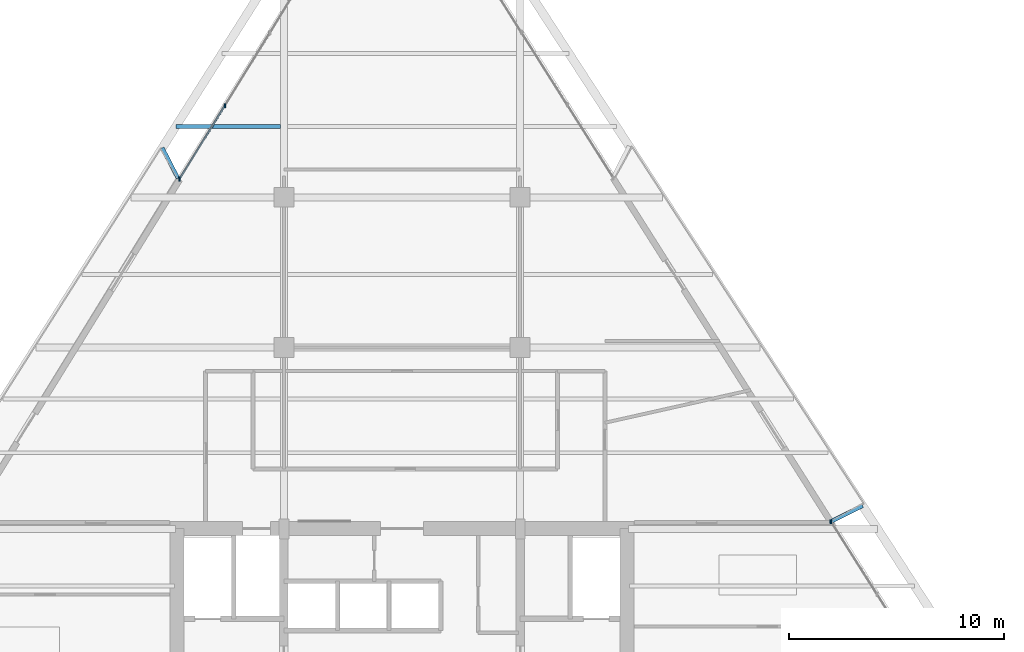
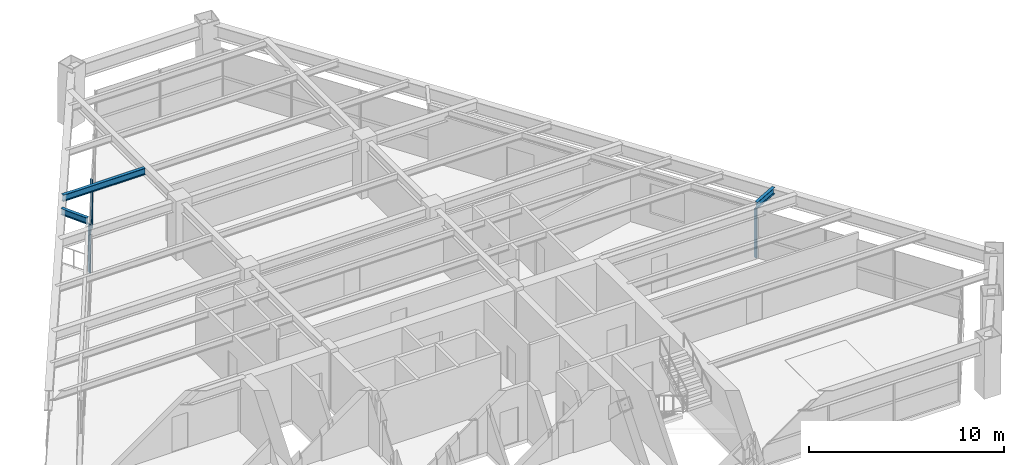
# One storey, part 8 of 15: 6 members, 3 beams, 2 elements without a shape of their own.
"""IFC4 building model written with IfcOpenShell, lengths in metres."""

from ifc_helpers import new_model, si_unit, direction, frame, origin, origin_2d, place, context, subcontext, project, spatial, rectangle, i_section, extrude, source, transform, mapped, material, material_profile, profile_set, type_object, element, aggregate, save


model = new_model("IFC4")

# Units and contexts
model_context = context("Model", 3, precision=1e-05, world=origin(), true_north=direction((0.0, 1.0)))
body_context = subcontext(model_context, "Body", "Model", "MODEL_VIEW")
ifc_project = project(units=[si_unit("LENGTHUNIT", "METRE"), si_unit("AREAUNIT", "SQUARE_METRE"), si_unit("VOLUMEUNIT", "CUBIC_METRE"), si_unit("PLANEANGLEUNIT", "RADIAN"), si_unit("MASSUNIT", "GRAM", prefix="KILO")], contexts=[model_context])

# Site, building, storey
site_placement = place(None, origin())
site = spatial("IfcSite", under=ifc_project, at=site_placement, CompositionType="ELEMENT")
building_placement = place(site_placement, origin())
building = spatial("IfcBuilding", under=site, at=building_placement, Name="Varnakhor Terracotta Tower", CompositionType="ELEMENT")
storey_placement = place(building_placement, frame((0.0, 0.0, 189.5)))
storey = spatial("IfcBuildingStorey", under=building, at=storey_placement, Name="L48", CompositionType="ELEMENT", Elevation=189.5)

# Beams
ifc_material_1 = material(Name="Steel S355", Category="steel")
ifc_material_profile_1 = material_profile(ifc_material_1, i_section(OverallWidth=0.179931640625, OverallDepth=0.4130859375, WebThickness=0.009765625, FlangeThickness=0.01611328125, FilletRadius=0.01806640625, at=origin_2d()), Name="W16X50")
ifc_profile_set_1 = profile_set([ifc_material_profile_1], Name="Steel S355")
beam_type_1 = type_object("IfcBeamType", Name="JST-W16X50", PredefinedType="JOIST", material=ifc_profile_set_1)
shared_shape_1 = source(origin(), body_context, "Body", "SweptSolid", [
    extrude(i_section(OverallWidth=0.179931640625, OverallDepth=0.4130859375, WebThickness=0.009765625, FlangeThickness=0.01611328125, FilletRadius=0.01806640625, at=origin_2d()), origin(), (0.0, 0.0, 1.0), 4.8798828125),
])
beam_1_placement = place(storey_placement, frame((-10.538330078125, 34.800048828125, 3.263427734375), z_axis=(1.0, 0.0, 0.0), x_axis=(0.0, 1.0, 0.0)))
element("IfcBeam", 1, at=beam_1_placement, inside=storey, type_object=beam_type_1, Name="L48 Composite Floor Joist 7-1", PredefinedType="JOIST", context=body_context, shape_type="MappedRepresentation", body=[
    mapped(shared_shape_1, transform((0.0, 0.0, 0.0), scale=1.0)),
])
ifc_material_profile_2 = material_profile(ifc_material_1, i_section(OverallWidth=0.179931640625, OverallDepth=0.39990234375, WebThickness=0.008544921875, FlangeThickness=0.013427734375, FilletRadius=0.01806640625, at=origin_2d()), Name="IPE400")
ifc_profile_set_2 = profile_set([ifc_material_profile_2], Name="Steel S355")
beam_type_2 = type_object("IfcBeamType", Name="JST-IPE400", PredefinedType="JOIST", material=ifc_profile_set_2)
shared_shape_2 = source(origin(), body_context, "Body", "SweptSolid", [
    extrude(i_section(OverallWidth=0.179931640625, OverallDepth=0.39990234375, WebThickness=0.008544921875, FlangeThickness=0.013427734375, FilletRadius=0.01806640625, at=origin_2d()), origin(), (0.0, 0.0, 1.0), 1.609130859375),
])
beam_2_placement = place(storey_placement, frame((-10.4306640625, 32.37646484375, 3.27001953125), z_axis=(-0.457622263467, 0.889146705544, 0.0), x_axis=(-0.889146705544, -0.457622263467, 0.0)))
element("IfcBeam", 2, at=beam_2_placement, inside=storey, type_object=beam_type_2, Name="L49 W Loggia Tie Beam 2", PredefinedType="JOIST", context=body_context, shape_type="MappedRepresentation", body=[
    mapped(shared_shape_2, transform((0.0, 0.0, 0.0), scale=1.0)),
])

# Curtain wall, members
ifc_material_2 = material(Name="Anodised Aluminium Curtain Wall System", Category="aluminium")
curtain_wall_type = type_object("IfcCurtainWallType", Name="CW-SYS-MID-OFFICE", PredefinedType="NOTDEFINED", material=ifc_material_2)
curtain_wall_1_placement = place(storey_placement, origin())
curtain_wall_1 = element("IfcCurtainWall", 3, at=curtain_wall_1_placement, inside=storey, type_object=curtain_wall_type, Name="L48 W Facet Curtain Wall 2", PredefinedType="NOTDEFINED")
ifc_material_3 = material(Name="Anodised Aluminium 6063-T6", Category="aluminium")
ifc_material_profile_3 = material_profile(ifc_material_3, rectangle(XDim=0.070068359375, YDim=0.175048828125, at=origin_2d()), Name="ALU MULLION 70x175")
ifc_profile_set_3 = profile_set([ifc_material_profile_3], Name="Anodised Aluminium 6063-T6")
member_type_1 = type_object("IfcMemberType", Name="CWM-03", PredefinedType="MULLION", material=ifc_profile_set_3)
shared_shape_3 = source(origin(), body_context, "Body", "SweptSolid", [
    extrude(rectangle(XDim=0.070068359375, YDim=0.175048828125, at=origin_2d()), origin(), (0.0, 0.0, 1.0), 3.050048828125),
])
member_1_placement = place(storey_placement, frame((-10.359130859375, 32.36181640625, 0.0), z_axis=(0.0, 0.0, 1.0), x_axis=(1.0, 0.0, 0.0)))
member_1 = element("IfcMember", 4, at=member_1_placement, type_object=member_type_1, Name="L48 W Facet Curtain Wall 2 Mullion 1", PredefinedType="MULLION", context=body_context, shape_type="MappedRepresentation", body=[
    mapped(shared_shape_3, transform((0.0, 0.0, 0.0), scale=1.0)),
])
member_2_placement = place(storey_placement, frame((-8.256103515625, 35.763427734375, 0.0), z_axis=(0.0, 0.0, 1.0), x_axis=(1.0, 0.0, 0.0)))
member_2 = element("IfcMember", 5, at=member_2_placement, type_object=member_type_1, Name="L48 W Facet Curtain Wall 2 Mullion 2", PredefinedType="MULLION", context=body_context, shape_type="MappedRepresentation", body=[
    mapped(shared_shape_3, transform((0.0, 0.0, 0.0), scale=1.0)),
])
member_3_placement = place(storey_placement, frame((-10.35791015625, 32.325927734375, 0.0), z_axis=(0.0, 0.0, 1.0), x_axis=(1.0, 0.0, 0.0)))
member_3 = element("IfcMember", 6, at=member_3_placement, type_object=member_type_1, Name="L48 W Loggia Jamb Closure Mullion 2", PredefinedType="MULLION", context=body_context, shape_type="MappedRepresentation", body=[
    mapped(shared_shape_3, transform((0.0, 0.0, 0.0), scale=1.0)),
])

curtain_wall_2_placement = place(storey_placement, origin())
curtain_wall_2 = element("IfcCurtainWall", 7, at=curtain_wall_2_placement, inside=storey, type_object=curtain_wall_type, Name="L48 E Facet Curtain Wall 2", PredefinedType="NOTDEFINED")
member_4_placement = place(storey_placement, frame((19.9921875, 16.39013671875, 0.0), z_axis=(0.0, 0.0, 1.0), x_axis=(1.0, 0.0, 0.0)))
member_4 = element("IfcMember", 8, at=member_4_placement, type_object=member_type_1, Name="L48 E Facet Curtain Wall 2 Mullion 1", PredefinedType="MULLION", context=body_context, shape_type="MappedRepresentation", body=[
    mapped(shared_shape_3, transform((0.0, 0.0, 0.0), scale=1.0)),
])
member_5_placement = place(storey_placement, frame((19.959228515625, 16.40478515625, 0.0), z_axis=(0.0, 0.0, 1.0), x_axis=(1.0, 0.0, 0.0)))
member_5 = element("IfcMember", 9, at=member_5_placement, type_object=member_type_1, Name="L48 E Loggia Jamb Closure Mullion 2", PredefinedType="MULLION", context=body_context, shape_type="MappedRepresentation", body=[
    mapped(shared_shape_3, transform((0.0, 0.0, 0.0), scale=1.0)),
])
aggregate(curtain_wall_2, [member_4, member_5])

# Member
ifc_material_profile_4 = material_profile(ifc_material_3, rectangle(XDim=0.070068359375, YDim=0.155029296875, at=origin_2d()), Name="ALU TRANSOM 70x155")
ifc_profile_set_4 = profile_set([ifc_material_profile_4], Name="Anodised Aluminium 6063-T6")
member_type_2 = type_object("IfcMemberType", Name="CWT-03", PredefinedType="USERDEFINED", material=ifc_profile_set_4)
shared_shape_4 = source(origin(), body_context, "Body", "SweptSolid", [
    extrude(rectangle(XDim=0.070068359375, YDim=0.155029296875, at=origin_2d()), origin(), (0.0, 0.0, 1.0), 3.999267578125),
])
member_6_placement = place(storey_placement, frame((-10.359130859375, 32.36181640625, 1.281005859375), z_axis=(0.525860643907, 0.850570739674, 0.0), x_axis=(-0.850570739674, 0.525860643907, 0.0)))
member_6 = element("IfcMember", 10, at=member_6_placement, type_object=member_type_2, Name="L48 W Facet Curtain Wall 2 Transom 1", ObjectType="TRANSOM", PredefinedType="USERDEFINED", context=body_context, shape_type="MappedRepresentation", body=[
    mapped(shared_shape_4, transform((0.0, 0.0, 0.0), scale=1.0)),
])

aggregate(curtain_wall_1, [member_1, member_6, member_2, member_3])

# Beam
shared_shape_5 = source(origin(), body_context, "Body", "SweptSolid", [
    extrude(i_section(OverallWidth=0.179931640625, OverallDepth=0.39990234375, WebThickness=0.008544921875, FlangeThickness=0.013427734375, FilletRadius=0.01806640625, at=origin_2d()), origin(), (0.0, 0.0, 1.0), 1.62841796875),
])
beam_3_placement = place(storey_placement, frame((19.994140625, 16.40771484375, 3.27001953125), z_axis=(0.89538468707, 0.445293456229, 0.0), x_axis=(-0.445293456229, 0.89538468707, 0.0)))
element("IfcBeam", 11, at=beam_3_placement, inside=storey, type_object=beam_type_2, Name="L49 E Loggia Tie Beam 2", PredefinedType="JOIST", context=body_context, shape_type="MappedRepresentation", body=[
    mapped(shared_shape_5, transform((0.0, 0.0, 0.0), scale=1.0)),
])

save(model, "model.ifc")
